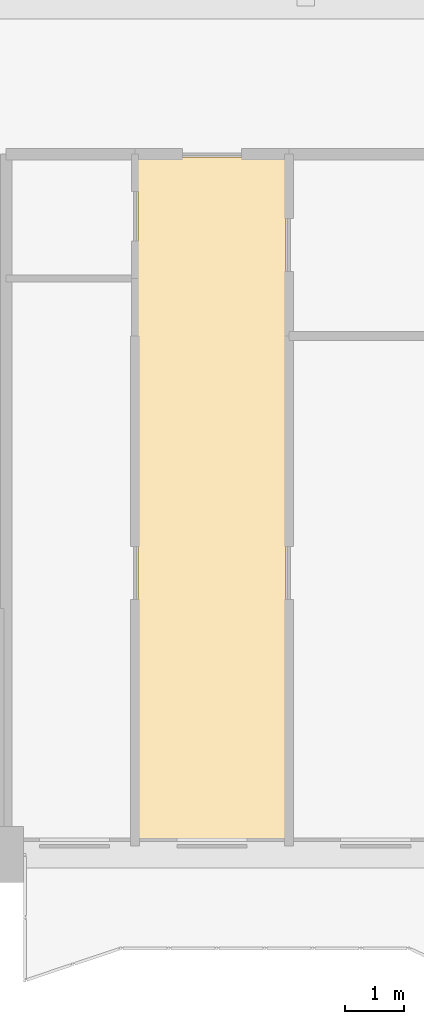
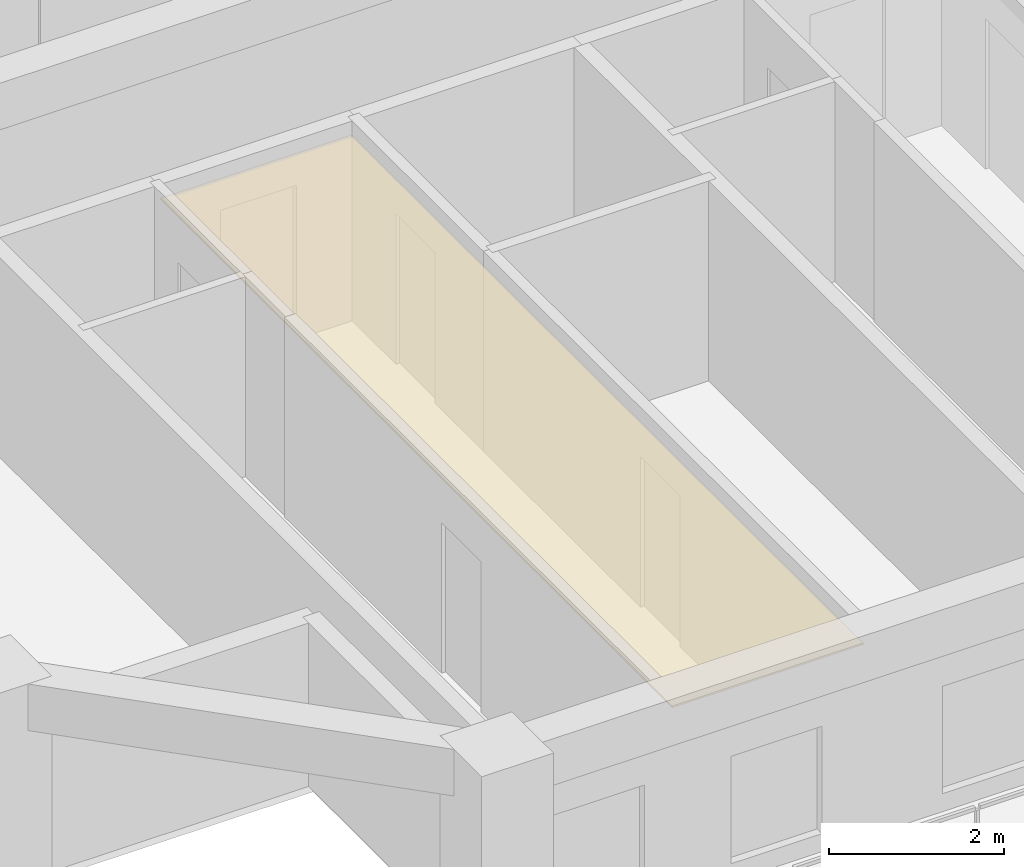
# One storey, part 10 of 15: 1 covering.
"""IFC4 building model written with IfcOpenShell, lengths in metres."""

from ifc_helpers import new_model, si_unit, direction, frame, origin, place, context, subcontext, project, spatial, polyline, outline, extrude, material, layer, layer_set, type_object, element, save


model = new_model("IFC4")

# Units and contexts
model_context = context("Model", 3, precision=1e-05, world=origin(), true_north=direction((0.0, 1.0)))
body_context = subcontext(model_context, "Body", "Model", "MODEL_VIEW")
ifc_project = project(units=[si_unit("LENGTHUNIT", "METRE"), si_unit("AREAUNIT", "SQUARE_METRE"), si_unit("VOLUMEUNIT", "CUBIC_METRE"), si_unit("PLANEANGLEUNIT", "RADIAN"), si_unit("MASSUNIT", "GRAM", prefix="KILO")], contexts=[model_context])

# Site, building, storey
site_placement = place(None, origin())
site = spatial("IfcSite", under=ifc_project, at=site_placement, CompositionType="ELEMENT")
building_placement = place(site_placement, origin())
building = spatial("IfcBuilding", under=site, at=building_placement, Name="Saelheon Loggia Tower", CompositionType="ELEMENT")
storey_placement = place(building_placement, frame((0.0, 0.0, 77.85009765625)))
storey = spatial("IfcBuildingStorey", under=building, at=storey_placement, Name="L24", CompositionType="ELEMENT", Elevation=77.85009765625)

# Covering
ifc_material = material(Name="Mineral-Fibre Acoustic Ceiling Board", Category="gypsum")
ifc_layer = layer(ifc_material, 0.02490234375)
ifc_layer_set = layer_set([ifc_layer], Name="Mineral-Fibre Acoustic Ceiling Board")
covering_type = type_object("IfcCoveringType", Name="Cov_Ceiling_Acoustic", PredefinedType="CEILING", material=ifc_layer_set)
covering_placement = place(storey_placement, frame((0.0, 0.0, 2.534912109375)))
element("IfcCovering", 1, at=covering_placement, inside=storey, type_object=covering_type, Name="L24 Acoustic Suspended Ceiling", PredefinedType="CEILING", context=body_context, shape_type="SweptSolid", body=[
    extrude(outline(polyline([(18.6298828125, 3.199951171875), (21.155517578125, 3.199951171875), (21.155517578125, 14.89990234375), (18.6298828125, 14.89990234375), (18.6298828125, 3.199951171875)])), origin(), (0.0, 0.0, 1.0), 0.02490234375),
])

save(model, "model.ifc")
